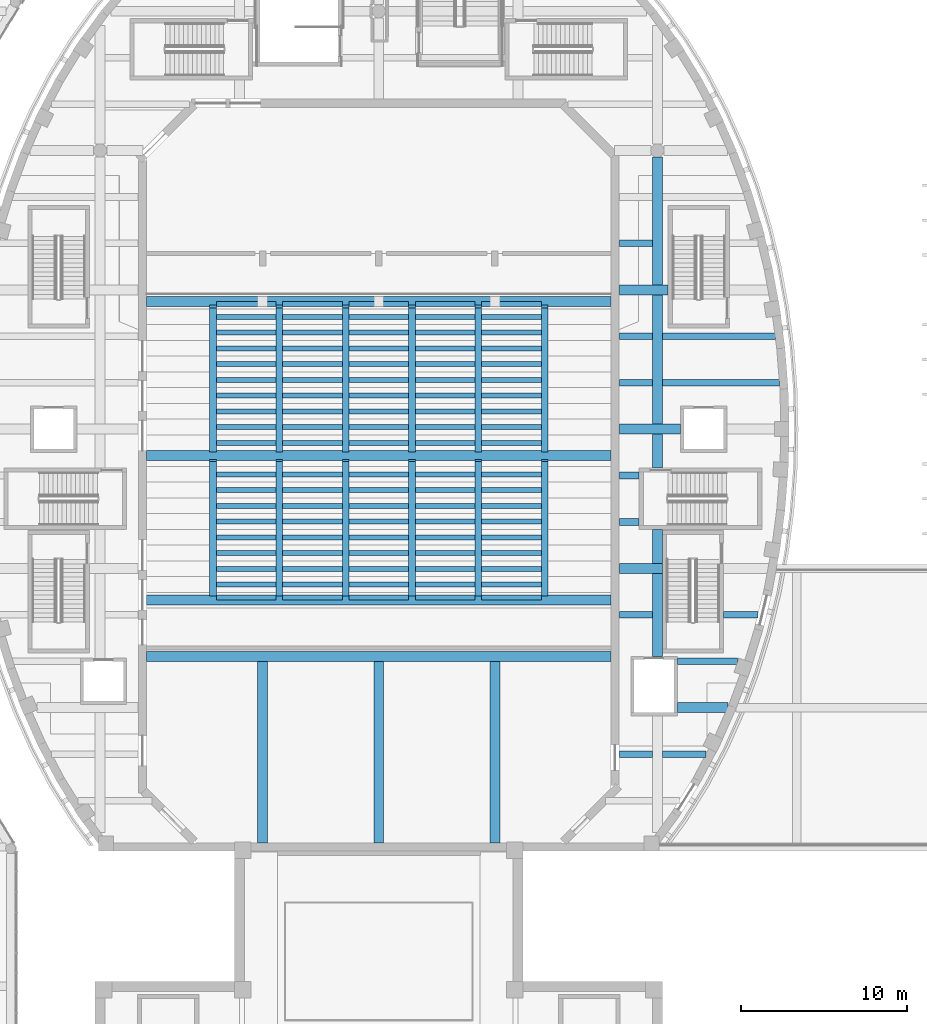
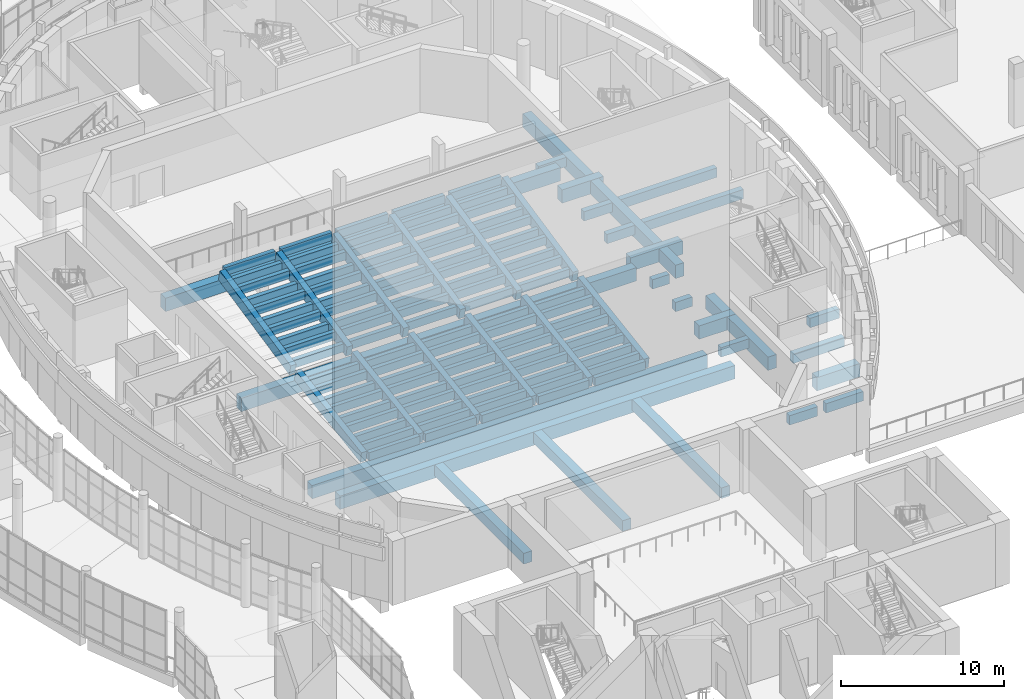
# One storey, part 21 of 119: 132 beams.
"""IFC4 building model written with IfcOpenShell, lengths in metres."""

import ifcopenshell
import ifcopenshell.guid

model = None  # the IFC model being written
_history = None  # IfcOwnerHistory: only IFC2X3 demands one
_inside = {}  # id of a spatial element -> (the spatial element, [elements in it])
_under = {}  # id of a project, library or spatial element -> (it, [spatial elements below it])
_declared = {}  # id of a project -> (the project, [libraries it declares])
_typed = {}  # id of a type object -> (the type object, [elements of that type])
_made_of = {}  # id of a material, layer set ... -> (it, [elements and type objects made of it])


def new_model(schema):
    """Start an empty IFC model of exactly this schema.

    Asked for "IFC4X3", IfcOpenShell would pick the latest addendum, in which some entities
    have other attributes; the version numbers below select the first issue.
    IFC2X3 requires an IfcOwnerHistory on every rooted entity: one is made here for all.
    """
    global model, _history
    if schema == "IFC4X3":
        model = ifcopenshell.file(schema_version=(4, 3, 0, 0))
    else:
        model = ifcopenshell.file(schema=schema)
    _inside.clear()
    _under.clear()
    _declared.clear()
    _typed.clear()
    _made_of.clear()
    _history = None
    if model.schema == "IFC2X3":
        org = make("IfcOrganization", Name="unknown")
        user = make(
            "IfcPersonAndOrganization",
            ThePerson=make("IfcPerson", FamilyName="unknown"),
            TheOrganization=org,
        )
        app = make(
            "IfcApplication",
            ApplicationDeveloper=org,
            Version="unknown",
            ApplicationFullName="unknown",
            ApplicationIdentifier="unknown",
        )
        _history = make(
            "IfcOwnerHistory",
            OwningUser=user,
            OwningApplication=app,
            ChangeAction="ADDED",
            CreationDate=0,
        )
    return model


def make(cls, **values):
    """One entity of the class cls with the attributes given. An attribute that is None is left unset."""
    return model.create_entity(
        cls, **{name: value for name, value in values.items() if value is not None}
    )


def rooted(cls, **values):
    """An entity with a GlobalId (a new one), such as an element, a storey or a relation."""
    return make(cls, GlobalId=ifcopenshell.guid.new(), OwnerHistory=_history, **values)


def si_unit(unit_type, name, prefix=None):
    """IfcSIUnit, for example si_unit("LENGTHUNIT", "METRE", prefix="MILLI")."""
    return make("IfcSIUnit", UnitType=unit_type, Prefix=prefix, Name=name)


def assignment(units):
    """IfcUnitAssignment: the units of a project."""
    return None if units is None else make("IfcUnitAssignment", Units=units)


def point(xyz):
    """IfcCartesianPoint."""
    return None if xyz is None else make("IfcCartesianPoint", Coordinates=xyz)


def direction(xyz):
    """IfcDirection."""
    return None if xyz is None else make("IfcDirection", DirectionRatios=xyz)


def frame(location, z_axis=None, x_axis=None):
    """IfcAxis2Placement3D, a coordinate frame: its origin and axes. An axis left out is left unset."""
    return make(
        "IfcAxis2Placement3D",
        Location=point(location),
        Axis=direction(z_axis),
        RefDirection=direction(x_axis),
    )


def frame_2d(location, x_axis=None):
    """IfcAxis2Placement2D, a coordinate frame in the plane: its origin and x axis."""
    return make(
        "IfcAxis2Placement2D", Location=point(location), RefDirection=direction(x_axis)
    )


def origin():
    """The frame at (0, 0, 0) with its axes left unset."""
    return frame((0.0, 0.0, 0.0))


def origin_2d():
    """The frame at (0, 0) in the plane with its x axis left unset."""
    return frame_2d((0.0, 0.0))


def place(relative_to, where):
    """IfcLocalPlacement: puts the frame where relative to a parent placement (None: the world)."""
    return make(
        "IfcLocalPlacement", PlacementRelTo=relative_to, RelativePlacement=where
    )


def context(
    kind, dimensions, precision=None, world=None, true_north=None, identifier=None
):
    """IfcGeometricRepresentationContext, for example the 3D "Model" context."""
    return make(
        "IfcGeometricRepresentationContext",
        ContextIdentifier=identifier,
        ContextType=kind,
        CoordinateSpaceDimension=dimensions,
        Precision=precision,
        WorldCoordinateSystem=world,
        TrueNorth=true_north,
    )


def subcontext(parent, identifier, kind, view, scale=None):
    """IfcGeometricRepresentationSubContext, for example "Body" below "Model"."""
    return make(
        "IfcGeometricRepresentationSubContext",
        ContextIdentifier=identifier,
        ContextType=kind,
        ParentContext=parent,
        TargetScale=scale,
        TargetView=view,
    )


def project(units=None, contexts=None):
    """IfcProject with its units and contexts."""
    return rooted(
        "IfcProject",
        Name="project",
        RepresentationContexts=contexts,
        UnitsInContext=assignment(units),
    )


def spatial(cls, under=None, at=None, **own):
    """A site, building, storey or space (cls), placed at a placement, below another one or the project."""
    s = rooted(cls, ObjectPlacement=at, **own)
    if under is not None:
        _under.setdefault(under.id(), (under, []))[1].append(s)
    return s


def profile(cls, at=None, kind="AREA", **sizes):
    """A parametric profile (cls). Its sizes go by their IFC names, for example OverallWidth=200.0."""
    return make(cls, ProfileType=kind, Position=at, **sizes)


def rectangle(**sizes):
    """IfcRectangleProfileDef."""
    return profile("IfcRectangleProfileDef", **sizes)


def extrude(swept, where, along, depth):
    """IfcExtrudedAreaSolid: the profile swept, set in the frame where, extruded along a direction by depth."""
    return make(
        "IfcExtrudedAreaSolid",
        SweptArea=swept,
        Position=where,
        ExtrudedDirection=direction(along),
        Depth=depth,
    )


def shape(context_of_items, identifier, shape_type, items):
    """IfcShapeRepresentation: the items that make up one representation, for example the "Body"."""
    return make(
        "IfcShapeRepresentation",
        ContextOfItems=context_of_items,
        RepresentationIdentifier=identifier,
        RepresentationType=shape_type,
        Items=items,
    )


def material(Name=None, Category=None):
    """IfcMaterial."""
    return make("IfcMaterial", Name=Name, Category=Category)


def material_profile(
    of_material, cross_section, Name=None, Category=None, Priority=None
):
    """IfcMaterialProfile: a cross section and its material."""
    return make(
        "IfcMaterialProfile",
        Name=Name,
        Material=of_material,
        Profile=cross_section,
        Priority=Priority,
        Category=Category,
    )


def profile_set(profiles, Name=None, composite=None):
    """IfcMaterialProfileSet."""
    return make(
        "IfcMaterialProfileSet",
        Name=Name,
        MaterialProfiles=profiles,
        CompositeProfile=composite,
    )


def made_of(thing, what):
    """Note that an element or type object is made of a material, layer set ...; save() writes the relation."""
    if what is not None:
        _made_of.setdefault(what.id(), (what, []))[1].append(thing)
    return thing


def type_object(cls, material=None, **own):
    """A type object (cls), such as IfcWallType, which elements share."""
    return made_of(rooted(cls, **own), material)


def element(
    cls,
    number,
    at=None,
    inside=None,
    cuts=None,
    type_object=None,
    material=None,
    context=None,
    identifier="Body",
    shape_type=None,
    held_by="IfcProductDefinitionShape",
    body=None,
    shapes=None,
    **own,
):
    """One element of the class cls, such as IfcWall. Its Tag is "e" and its number.

    at: its placement. inside: the storey or other place that contains it. cuts: it is an
    opening in that element (IfcRelVoidsElement). A single representation is given by context,
    identifier, shape_type and body (its items); several are given by shapes. held_by: the class
    of the entity that holds the representations. save() writes the other relations.
    """
    e = rooted(cls, Tag="e%d" % number, ObjectPlacement=at, **own)
    if body is not None:
        shapes = [shape(context, identifier, shape_type, body)]
    if shapes is not None:
        e.Representation = make(held_by, Representations=shapes)
    if inside is not None:
        _inside.setdefault(inside.id(), (inside, []))[1].append(e)
    if cuts is not None:
        rooted(
            "IfcRelVoidsElement", RelatingBuildingElement=cuts, RelatedOpeningElement=e
        )
    if type_object is not None:
        _typed.setdefault(type_object.id(), (type_object, []))[1].append(e)
    return made_of(e, material)


def aggregate(whole, parts):
    """IfcRelAggregates: a whole, such as a stair, and the parts it consists of."""
    return rooted("IfcRelAggregates", RelatingObject=whole, RelatedObjects=parts)


def save(model, path):
    """Write the relations noted so far, then the file.

    IfcRelAggregates (storeys below a building ...), IfcRelContainedInSpatialStructure (elements
    in a storey), IfcRelDefinesByType, IfcRelAssociatesMaterial and IfcRelDeclares: one each for
    every whole, place, type object, material and project.
    """
    for whole, parts in _under.values():
        aggregate(whole, parts)
    for where, things in _inside.values():
        rooted(
            "IfcRelContainedInSpatialStructure",
            RelatedElements=things,
            RelatingStructure=where,
        )
    for kind, things in _typed.values():
        rooted("IfcRelDefinesByType", RelatedObjects=things, RelatingType=kind)
    for what, things in _made_of.values():
        rooted("IfcRelAssociatesMaterial", RelatedObjects=things, RelatingMaterial=what)
    for by, libraries in _declared.values():
        rooted("IfcRelDeclares", RelatingContext=by, RelatedDefinitions=libraries)
    model.write(path)


model = new_model("IFC4")

# Units and contexts
model_context = context("Model", 3, precision=1e-05, world=origin(), true_north=direction((0.0, 1.0)))
body_context = subcontext(model_context, "Body", "Model", "MODEL_VIEW")
ifc_project = project(units=[si_unit("LENGTHUNIT", "METRE"), si_unit("AREAUNIT", "SQUARE_METRE"), si_unit("VOLUMEUNIT", "CUBIC_METRE"), si_unit("PLANEANGLEUNIT", "RADIAN"), si_unit("MASSUNIT", "GRAM", prefix="KILO")], contexts=[model_context])

# Site, building, storey
site_placement = place(None, origin())
site = spatial("IfcSite", under=ifc_project, at=site_placement, CompositionType="ELEMENT")
building_placement = place(site_placement, origin())
building = spatial("IfcBuilding", under=site, at=building_placement, Name="Larchfold Concert Hall", CompositionType="ELEMENT")
storey_placement = place(building_placement, frame((0.0, 0.0, 4.800048828125)))
storey = spatial("IfcBuildingStorey", under=building, at=storey_placement, Name="L01", CompositionType="ELEMENT", Elevation=4.800048828125)

# Beams
ifc_material_1 = material(Name="Concrete C35/45", Category="concrete")
ifc_material_profile_1 = material_profile(ifc_material_1, rectangle(XDim=0.300048828125, YDim=0.60009765625, at=origin_2d()))
ifc_profile_set_1 = profile_set([ifc_material_profile_1], Name="Concrete C35/45")
beam_type_1 = type_object("IfcBeamType", Name="Beam RC 300x600", PredefinedType="BEAM", material=ifc_profile_set_1)
for number, where, z_axis, x_axis, name in (
    (1, (32.800048828125, 74.449951171875, -0.52001953125), (1.0, 0.0, 0.0), (0.0, 1.0, 0.0), "Beam B1612"),
    (2, (36.800048828125, 74.449951171875, -0.52001953125), (1.0, 0.0, 0.0), (0.0, 1.0, 0.0), "Beam B1613"),
    (3, (40.800048828125, 74.449951171875, -0.52001953125), (1.0, 0.0, 0.0), (0.0, 1.0, 0.0), "Beam B1614"),
    (4, (44.800048828125, 74.449951171875, -0.52001953125), (1.0, 0.0, 0.0), (0.0, 1.0, 0.0), "Beam B1615"),
    (5, (48.800048828125, 74.449951171875, -0.52001953125), (1.0, 0.0, 0.0), (0.0, 1.0, 0.0), "Beam B1616"),
    (6, (32.800048828125, 75.22509765625, -0.3759765625), (1.0, 0.0, 0.0), (0.0, 1.0, 0.0), "Beam B1617"),
    (7, (36.800048828125, 75.22509765625, -0.3759765625), (1.0, 0.0, 0.0), (0.0, 1.0, 0.0), "Beam B1618"),
    (8, (40.800048828125, 75.22509765625, -0.3759765625), (1.0, 0.0, 0.0), (0.0, 1.0, 0.0), "Beam B1619"),
    (9, (44.800048828125, 75.22509765625, -0.3759765625), (1.0, 0.0, 0.0), (0.0, 1.0, 0.0), "Beam B1620"),
    (10, (48.800048828125, 75.22509765625, -0.3759765625), (1.0, 0.0, 0.0), (0.0, 1.0, 0.0), "Beam B1621"),
    (11, (32.800048828125, 76.1748046875, -0.35302734375), (1.0, 0.0, 0.0), (0.0, 1.0, 0.0), "Beam B1622"),
    (12, (36.800048828125, 76.1748046875, -0.35302734375), (1.0, 0.0, 0.0), (0.0, 1.0, 0.0), "Beam B1623"),
    (13, (40.800048828125, 76.1748046875, -0.35302734375), (1.0, 0.0, 0.0), (0.0, 1.0, 0.0), "Beam B1624"),
    (14, (44.800048828125, 76.1748046875, -0.35302734375), (1.0, 0.0, 0.0), (0.0, 1.0, 0.0), "Beam B1625"),
    (15, (48.800048828125, 76.1748046875, -0.35302734375), (1.0, 0.0, 0.0), (0.0, 1.0, 0.0), "Beam B1626"),
    (16, (32.800048828125, 77.125, -0.149169921875), (1.0, 0.0, 0.0), (0.0, 1.0, 0.0), "Beam B1627"),
    (17, (36.800048828125, 77.125, -0.149169921875), (1.0, 0.0, 0.0), (0.0, 1.0, 0.0), "Beam B1628"),
    (18, (40.800048828125, 77.125, -0.149169921875), (1.0, 0.0, 0.0), (0.0, 1.0, 0.0), "Beam B1629"),
    (19, (44.800048828125, 77.125, -0.149169921875), (1.0, 0.0, 0.0), (0.0, 1.0, 0.0), "Beam B1630"),
    (20, (48.800048828125, 77.125, -0.149169921875), (1.0, 0.0, 0.0), (0.0, 1.0, 0.0), "Beam B1631"),
    (21, (32.800048828125, 78.0751953125, -0.137939453125), (1.0, 0.0, 0.0), (0.0, 1.0, 0.0), "Beam B1632"),
    (22, (36.800048828125, 78.0751953125, -0.137939453125), (1.0, 0.0, 0.0), (0.0, 1.0, 0.0), "Beam B1633"),
    (23, (40.800048828125, 78.0751953125, -0.137939453125), (1.0, 0.0, 0.0), (0.0, 1.0, 0.0), "Beam B1634"),
    (24, (44.800048828125, 78.0751953125, -0.137939453125), (1.0, 0.0, 0.0), (0.0, 1.0, 0.0), "Beam B1635"),
    (25, (48.800048828125, 78.0751953125, -0.137939453125), (1.0, 0.0, 0.0), (0.0, 1.0, 0.0), "Beam B1636"),
    (26, (32.800048828125, 79.02490234375, 0.117919921875), (1.0, 0.0, 0.0), (0.0, 1.0, 0.0), "Beam B1637"),
    (27, (36.800048828125, 79.02490234375, 0.117919921875), (1.0, 0.0, 0.0), (0.0, 1.0, 0.0), "Beam B1638"),
    (28, (40.800048828125, 79.02490234375, 0.117919921875), (1.0, 0.0, 0.0), (0.0, 1.0, 0.0), "Beam B1639"),
    (29, (44.800048828125, 79.02490234375, 0.117919921875), (1.0, 0.0, 0.0), (0.0, 1.0, 0.0), "Beam B1640"),
    (30, (48.800048828125, 79.02490234375, 0.117919921875), (1.0, 0.0, 0.0), (0.0, 1.0, 0.0), "Beam B1641"),
    (31, (32.800048828125, 79.97509765625, 0.117919921875), (1.0, 0.0, 0.0), (0.0, 1.0, 0.0), "Beam B1642"),
    (32, (36.800048828125, 79.97509765625, 0.117919921875), (1.0, 0.0, 0.0), (0.0, 1.0, 0.0), "Beam B1643"),
    (33, (40.800048828125, 79.97509765625, 0.117919921875), (1.0, 0.0, 0.0), (0.0, 1.0, 0.0), "Beam B1644"),
    (34, (44.800048828125, 79.97509765625, 0.117919921875), (1.0, 0.0, 0.0), (0.0, 1.0, 0.0), "Beam B1645"),
    (35, (48.800048828125, 79.97509765625, 0.117919921875), (1.0, 0.0, 0.0), (0.0, 1.0, 0.0), "Beam B1646"),
    (36, (32.800048828125, 80.9248046875, 0.4150390625), (1.0, 0.0, 0.0), (0.0, 1.0, 0.0), "Beam B1647"),
    (37, (36.800048828125, 80.9248046875, 0.4150390625), (1.0, 0.0, 0.0), (0.0, 1.0, 0.0), "Beam B1648"),
    (38, (40.800048828125, 80.9248046875, 0.4150390625), (1.0, 0.0, 0.0), (0.0, 1.0, 0.0), "Beam B1649"),
    (39, (44.800048828125, 80.9248046875, 0.4150390625), (1.0, 0.0, 0.0), (0.0, 1.0, 0.0), "Beam B1650"),
    (40, (48.800048828125, 80.9248046875, 0.4150390625), (1.0, 0.0, 0.0), (0.0, 1.0, 0.0), "Beam B1651"),
    (41, (32.800048828125, 81.875, 0.4150390625), (1.0, 0.0, 0.0), (0.0, 1.0, 0.0), "Beam B1652"),
    (42, (36.800048828125, 81.875, 0.4150390625), (1.0, 0.0, 0.0), (0.0, 1.0, 0.0), "Beam B1653"),
    (43, (40.800048828125, 81.875, 0.4150390625), (1.0, 0.0, 0.0), (0.0, 1.0, 0.0), "Beam B1654"),
    (44, (44.800048828125, 81.875, 0.4150390625), (1.0, 0.0, 0.0), (0.0, 1.0, 0.0), "Beam B1655"),
    (45, (48.800048828125, 81.875, 0.4150390625), (1.0, 0.0, 0.0), (0.0, 1.0, 0.0), "Beam B1656"),
    (46, (32.800048828125, 83.77490234375, 0.73583984375), (1.0, 0.0, 0.0), (0.0, 1.0, 0.0), "Beam B1657"),
    (47, (36.800048828125, 83.77490234375, 0.73583984375), (1.0, 0.0, 0.0), (0.0, 1.0, 0.0), "Beam B1658"),
    (48, (40.800048828125, 83.77490234375, 0.73583984375), (1.0, 0.0, 0.0), (0.0, 1.0, 0.0), "Beam B1659"),
    (49, (44.800048828125, 83.77490234375, 0.73583984375), (1.0, 0.0, 0.0), (0.0, 1.0, 0.0), "Beam B1660"),
    (50, (48.800048828125, 83.77490234375, 0.73583984375), (1.0, 0.0, 0.0), (0.0, 1.0, 0.0), "Beam B1661"),
    (51, (32.800048828125, 84.72509765625, 1.076904296875), (1.0, 0.0, 0.0), (0.0, 1.0, 0.0), "Beam B1662"),
    (52, (36.800048828125, 84.72509765625, 1.076904296875), (1.0, 0.0, 0.0), (0.0, 1.0, 0.0), "Beam B1663"),
    (53, (40.800048828125, 84.72509765625, 1.076904296875), (1.0, 0.0, 0.0), (0.0, 1.0, 0.0), "Beam B1664"),
    (54, (44.800048828125, 84.72509765625, 1.076904296875), (1.0, 0.0, 0.0), (0.0, 1.0, 0.0), "Beam B1665"),
    (55, (48.800048828125, 84.72509765625, 1.076904296875), (1.0, 0.0, 0.0), (0.0, 1.0, 0.0), "Beam B1666"),
    (56, (32.800048828125, 85.6748046875, 1.076904296875), (1.0, 0.0, 0.0), (0.0, 1.0, 0.0), "Beam B1667"),
    (57, (36.800048828125, 85.6748046875, 1.076904296875), (1.0, 0.0, 0.0), (0.0, 1.0, 0.0), "Beam B1668"),
    (58, (40.800048828125, 85.6748046875, 1.076904296875), (1.0, 0.0, 0.0), (0.0, 1.0, 0.0), "Beam B1669"),
    (59, (44.800048828125, 85.6748046875, 1.076904296875), (1.0, 0.0, 0.0), (0.0, 1.0, 0.0), "Beam B1670"),
    (60, (48.800048828125, 85.6748046875, 1.076904296875), (1.0, 0.0, 0.0), (0.0, 1.0, 0.0), "Beam B1671"),
    (61, (32.800048828125, 86.625, 1.43505859375), (1.0, 0.0, 0.0), (0.0, 1.0, 0.0), "Beam B1672"),
    (62, (36.800048828125, 86.625, 1.43505859375), (1.0, 0.0, 0.0), (0.0, 1.0, 0.0), "Beam B1673"),
    (63, (40.800048828125, 86.625, 1.43505859375), (1.0, 0.0, 0.0), (0.0, 1.0, 0.0), "Beam B1674"),
    (64, (44.800048828125, 86.625, 1.43505859375), (1.0, 0.0, 0.0), (0.0, 1.0, 0.0), "Beam B1675"),
    (65, (48.800048828125, 86.625, 1.43505859375), (1.0, 0.0, 0.0), (0.0, 1.0, 0.0), "Beam B1676"),
    (66, (32.800048828125, 87.5751953125, 1.43505859375), (1.0, 0.0, 0.0), (0.0, 1.0, 0.0), "Beam B1677"),
    (67, (36.800048828125, 87.5751953125, 1.43505859375), (1.0, 0.0, 0.0), (0.0, 1.0, 0.0), "Beam B1678"),
    (68, (40.800048828125, 87.5751953125, 1.43505859375), (1.0, 0.0, 0.0), (0.0, 1.0, 0.0), "Beam B1679"),
    (69, (44.800048828125, 87.5751953125, 1.43505859375), (1.0, 0.0, 0.0), (0.0, 1.0, 0.0), "Beam B1680"),
    (70, (48.800048828125, 87.5751953125, 1.43505859375), (1.0, 0.0, 0.0), (0.0, 1.0, 0.0), "Beam B1681"),
    (71, (32.800048828125, 88.52490234375, 1.807861328125), (1.0, 0.0, 0.0), (0.0, 1.0, 0.0), "Beam B1682"),
    (72, (36.800048828125, 88.52490234375, 1.807861328125), (1.0, 0.0, 0.0), (0.0, 1.0, 0.0), "Beam B1683"),
    (73, (40.800048828125, 88.52490234375, 1.807861328125), (1.0, 0.0, 0.0), (0.0, 1.0, 0.0), "Beam B1684"),
    (74, (44.800048828125, 88.52490234375, 1.807861328125), (1.0, 0.0, 0.0), (0.0, 1.0, 0.0), "Beam B1685"),
    (75, (48.800048828125, 88.52490234375, 1.807861328125), (1.0, 0.0, 0.0), (0.0, 1.0, 0.0), "Beam B1686"),
    (76, (32.800048828125, 89.47509765625, 1.807861328125), (1.0, 0.0, 0.0), (0.0, 1.0, 0.0), "Beam B1687"),
    (77, (36.800048828125, 89.47509765625, 1.807861328125), (1.0, 0.0, 0.0), (0.0, 1.0, 0.0), "Beam B1688"),
    (78, (40.800048828125, 89.47509765625, 1.807861328125), (1.0, 0.0, 0.0), (0.0, 1.0, 0.0), "Beam B1689"),
    (79, (44.800048828125, 89.47509765625, 1.807861328125), (1.0, 0.0, 0.0), (0.0, 1.0, 0.0), "Beam B1690"),
    (80, (48.800048828125, 89.47509765625, 1.807861328125), (1.0, 0.0, 0.0), (0.0, 1.0, 0.0), "Beam B1691"),
    (81, (32.800048828125, 90.4248046875, 2.195068359375), (1.0, 0.0, 0.0), (0.0, 1.0, 0.0), "Beam B1692"),
    (82, (36.800048828125, 90.4248046875, 2.195068359375), (1.0, 0.0, 0.0), (0.0, 1.0, 0.0), "Beam B1693"),
    (83, (40.800048828125, 90.4248046875, 2.195068359375), (1.0, 0.0, 0.0), (0.0, 1.0, 0.0), "Beam B1694"),
    (84, (44.800048828125, 90.4248046875, 2.195068359375), (1.0, 0.0, 0.0), (0.0, 1.0, 0.0), "Beam B1695"),
    (85, (48.800048828125, 90.4248046875, 2.195068359375), (1.0, 0.0, 0.0), (0.0, 1.0, 0.0), "Beam B1696"),
    (86, (32.800048828125, 91.375, 2.195068359375), (1.0, 0.0, 0.0), (0.0, 1.0, 0.0), "Beam B1697"),
    (87, (36.800048828125, 91.375, 2.195068359375), (1.0, 0.0, 0.0), (0.0, 1.0, 0.0), "Beam B1698"),
    (88, (40.800048828125, 91.375, 2.195068359375), (1.0, 0.0, 0.0), (0.0, 1.0, 0.0), "Beam B1699"),
    (89, (44.800048828125, 91.375, 2.195068359375), (1.0, 0.0, 0.0), (0.0, 1.0, 0.0), "Beam B1700"),
    (90, (48.800048828125, 91.375, 2.195068359375), (1.0, 0.0, 0.0), (0.0, 1.0, 0.0), "Beam B1701"),
    (91, (32.800048828125, 92.14990234375, 2.593994140625), (1.0, 0.0, 0.0), (0.0, 1.0, 0.0), "Beam B1702"),
    (92, (36.800048828125, 92.14990234375, 2.593994140625), (1.0, 0.0, 0.0), (0.0, 1.0, 0.0), "Beam B1703"),
    (93, (40.800048828125, 92.14990234375, 2.593994140625), (1.0, 0.0, 0.0), (0.0, 1.0, 0.0), "Beam B1704"),
    (94, (44.800048828125, 92.14990234375, 2.593994140625), (1.0, 0.0, 0.0), (0.0, 1.0, 0.0), "Beam B1705"),
    (95, (48.800048828125, 92.14990234375, 2.593994140625), (1.0, 0.0, 0.0), (0.0, 1.0, 0.0), "Beam B1706"),
):
    element("IfcBeam", number, at=place(storey_placement, frame(where, z_axis=z_axis, x_axis=x_axis)), inside=storey, type_object=beam_type_1, Name=name, PredefinedType="BEAM", context=body_context, shape_type="SweptSolid", body=[
        extrude(rectangle(XDim=0.300048828125, YDim=0.60009765625, at=origin_2d()), origin(), (0.0, 0.0, 1.0), 3.599853515625),
    ])
ifc_material_2 = material(Name="Concrete C35/45", Category="concrete")
ifc_material_profile_2 = material_profile(ifc_material_2, rectangle(XDim=0.39990234375, YDim=0.699951171875, at=origin_2d()))
ifc_profile_set_2 = profile_set([ifc_material_profile_2], Name="Concrete C35/45")
beam_type_2 = type_object("IfcBeamType", Name="Beam RC 400x700", PredefinedType="BEAM", material=ifc_profile_set_2)
beam_1_placement = place(storey_placement, frame((57.110107421875, 65.0, -0.550048828125), z_axis=(1.0, 0.0, 0.0), x_axis=(0.0, 1.0, 0.0)))
element("IfcBeam", 96, at=beam_1_placement, inside=storey, type_object=beam_type_2, Name="Beam B1225", PredefinedType="BEAM", context=body_context, shape_type="SweptSolid", body=[
    extrude(rectangle(XDim=0.39990234375, YDim=0.699951171875, at=origin_2d()), origin(), (0.0, 0.0, 1.0), 1.989990234375),
])
beam_2_placement = place(storey_placement, frame((59.699951171875, 65.0, -0.550048828125), z_axis=(1.0, 0.0, 0.0), x_axis=(0.0, 1.0, 0.0)))
element("IfcBeam", 97, at=beam_2_placement, inside=storey, type_object=beam_type_2, Name="Beam B1226", PredefinedType="BEAM", context=body_context, shape_type="SweptSolid", body=[
    extrude(rectangle(XDim=0.39990234375, YDim=0.699951171875, at=origin_2d()), origin(), (0.0, 0.0, 1.0), 2.64013671875),
])
beam_3_placement = place(storey_placement, frame((60.60009765625, 70.60009765625, -0.550048828125), z_axis=(1.0, 0.0, 0.0), x_axis=(0.0, 1.0, 0.0)))
element("IfcBeam", 98, at=beam_3_placement, inside=storey, type_object=beam_type_2, Name="Beam B1228", PredefinedType="BEAM", context=body_context, shape_type="SweptSolid", body=[
    extrude(rectangle(XDim=0.39990234375, YDim=0.699951171875, at=origin_2d()), origin(), (0.0, 0.0, 1.0), 3.64306640625),
])
beam_4_placement = place(storey_placement, frame((57.110107421875, 73.39990234375, -0.550048828125), z_axis=(1.0, 0.0, 0.0), x_axis=(0.0, 1.0, 0.0)))
element("IfcBeam", 99, at=beam_4_placement, inside=storey, type_object=beam_type_2, Name="Beam B1231", PredefinedType="BEAM", context=body_context, shape_type="SweptSolid", body=[
    extrude(rectangle(XDim=0.39990234375, YDim=0.699951171875, at=origin_2d()), origin(), (0.0, 0.0, 1.0), 1.989990234375),
])
beam_5_placement = place(storey_placement, frame((63.39990234375, 73.39990234375, -0.550048828125), z_axis=(1.0, 0.0, 0.0), x_axis=(0.0, 1.0, 0.0)))
element("IfcBeam", 100, at=beam_5_placement, inside=storey, type_object=beam_type_2, Name="Beam B1232", PredefinedType="BEAM", context=body_context, shape_type="SweptSolid", body=[
    extrude(rectangle(XDim=0.39990234375, YDim=0.699951171875, at=origin_2d()), origin(), (0.0, 0.0, 1.0), 2.0791015625),
])
for number, where, z_axis, x_axis, name in (
    (101, (57.110107421875, 79.0, -0.550048828125), (1.0, 0.0, 0.0), (0.0, 1.0, 0.0), "Beam B1234"),
    (102, (57.110107421875, 81.800048828125, -0.550048828125), (1.0, 0.0, 0.0), (0.0, 1.0, 0.0), "Beam B1236"),
):
    element("IfcBeam", number, at=place(storey_placement, frame(where, z_axis=z_axis, x_axis=x_axis)), inside=storey, type_object=beam_type_2, Name=name, PredefinedType="BEAM", context=body_context, shape_type="SweptSolid", body=[
        extrude(rectangle(XDim=0.39990234375, YDim=0.699951171875, at=origin_2d()), origin(), (0.0, 0.0, 1.0), 1.18994140625),
    ])
beam_6_placement = place(storey_placement, frame((57.110107421875, 87.39990234375, -0.550048828125), z_axis=(1.0, 0.0, 0.0), x_axis=(0.0, 1.0, 0.0)))
element("IfcBeam", 103, at=beam_6_placement, inside=storey, type_object=beam_type_2, Name="Beam B1239", PredefinedType="BEAM", context=body_context, shape_type="SweptSolid", body=[
    extrude(rectangle(XDim=0.39990234375, YDim=0.699951171875, at=origin_2d()), origin(), (0.0, 0.0, 1.0), 1.989990234375),
])
beam_7_placement = place(storey_placement, frame((59.699951171875, 87.39990234375, -0.550048828125), z_axis=(1.0, 0.0, 0.0), x_axis=(0.0, 1.0, 0.0)))
element("IfcBeam", 104, at=beam_7_placement, inside=storey, type_object=beam_type_2, Name="Beam B1240", PredefinedType="BEAM", context=body_context, shape_type="SweptSolid", body=[
    extrude(rectangle(XDim=0.39990234375, YDim=0.699951171875, at=origin_2d()), origin(), (0.0, 0.0, 1.0), 7.078125),
])
beam_8_placement = place(storey_placement, frame((57.110107421875, 90.199951171875, -0.550048828125), z_axis=(1.0, 0.0, 0.0), x_axis=(0.0, 1.0, 0.0)))
element("IfcBeam", 105, at=beam_8_placement, inside=storey, type_object=beam_type_2, Name="Beam B1243", PredefinedType="BEAM", context=body_context, shape_type="SweptSolid", body=[
    extrude(rectangle(XDim=0.39990234375, YDim=0.699951171875, at=origin_2d()), origin(), (0.0, 0.0, 1.0), 1.989990234375),
])
beam_9_placement = place(storey_placement, frame((59.699951171875, 90.199951171875, -0.550048828125), z_axis=(1.0, 0.0, 0.0), x_axis=(0.0, 1.0, 0.0)))
element("IfcBeam", 106, at=beam_9_placement, inside=storey, type_object=beam_type_2, Name="Beam B1244", PredefinedType="BEAM", context=body_context, shape_type="SweptSolid", body=[
    extrude(rectangle(XDim=0.39990234375, YDim=0.699951171875, at=origin_2d()), origin(), (0.0, 0.0, 1.0), 6.81982421875),
])
beam_10_placement = place(storey_placement, frame((57.110107421875, 95.800048828125, -0.550048828125), z_axis=(1.0, 0.0, 0.0), x_axis=(0.0, 1.0, 0.0)))
element("IfcBeam", 107, at=beam_10_placement, inside=storey, type_object=beam_type_2, Name="Beam B1247", PredefinedType="BEAM", context=body_context, shape_type="SweptSolid", body=[
    extrude(rectangle(XDim=0.39990234375, YDim=0.699951171875, at=origin_2d()), origin(), (0.0, 0.0, 1.0), 1.989990234375),
])
ifc_material_3 = material(Name="Concrete C35/45", Category="concrete")
ifc_material_profile_3 = material_profile(ifc_material_3, rectangle(XDim=0.39990234375, YDim=0.800048828125, at=origin_2d()))
ifc_profile_set_3 = profile_set([ifc_material_profile_3], Name="Concrete C35/45")
beam_type_3 = type_object("IfcBeamType", Name="Beam RC 400x800", PredefinedType="BEAM", material=ifc_profile_set_3)
beam_11_placement = place(storey_placement, frame((32.60009765625, 74.60009765625, -0.6201171875), z_axis=(0.0, 0.988188138997, 0.153245560935), x_axis=(-1.0, 0.0, 0.0)))
element("IfcBeam", 108, at=beam_11_placement, inside=storey, type_object=beam_type_3, Name="Beam RK1600", PredefinedType="BEAM", context=body_context, shape_type="SweptSolid", body=[
    extrude(rectangle(XDim=0.39990234375, YDim=0.800048828125, at=origin_2d()), origin(), (0.0, 0.0, 1.0), 8.19677734375),
])
beam_12_placement = place(storey_placement, frame((32.60009765625, 83.300048828125, 0.635986328125), z_axis=(0.0, 0.977948763181, 0.208844958266), x_axis=(-1.0, 0.0, 0.0)))
element("IfcBeam", 109, at=beam_12_placement, inside=storey, type_object=beam_type_3, Name="Beam RK1601", PredefinedType="BEAM", context=body_context, shape_type="SweptSolid", body=[
    extrude(rectangle(XDim=0.39990234375, YDim=0.800048828125, at=origin_2d()), origin(), (0.0, 0.0, 1.0), 8.896240234375),
])
beam_13_placement = place(storey_placement, frame((36.60009765625, 74.60009765625, -0.6201171875), z_axis=(0.0, 0.988188138997, 0.153245560935), x_axis=(-1.0, 0.0, 0.0)))
element("IfcBeam", 110, at=beam_13_placement, inside=storey, type_object=beam_type_3, Name="Beam RK1602", PredefinedType="BEAM", context=body_context, shape_type="SweptSolid", body=[
    extrude(rectangle(XDim=0.39990234375, YDim=0.800048828125, at=origin_2d()), origin(), (0.0, 0.0, 1.0), 8.19677734375),
])
beam_14_placement = place(storey_placement, frame((36.60009765625, 83.300048828125, 0.635986328125), z_axis=(0.0, 0.977948763181, 0.208844958266), x_axis=(-1.0, 0.0, 0.0)))
element("IfcBeam", 111, at=beam_14_placement, inside=storey, type_object=beam_type_3, Name="Beam RK1603", PredefinedType="BEAM", context=body_context, shape_type="SweptSolid", body=[
    extrude(rectangle(XDim=0.39990234375, YDim=0.800048828125, at=origin_2d()), origin(), (0.0, 0.0, 1.0), 8.896240234375),
])
beam_15_placement = place(storey_placement, frame((40.60009765625, 74.60009765625, -0.6201171875), z_axis=(0.0, 0.988188138997, 0.153245560935), x_axis=(-1.0, 0.0, 0.0)))
element("IfcBeam", 112, at=beam_15_placement, inside=storey, type_object=beam_type_3, Name="Beam RK1604", PredefinedType="BEAM", context=body_context, shape_type="SweptSolid", body=[
    extrude(rectangle(XDim=0.39990234375, YDim=0.800048828125, at=origin_2d()), origin(), (0.0, 0.0, 1.0), 8.19677734375),
])
beam_16_placement = place(storey_placement, frame((40.60009765625, 83.300048828125, 0.635986328125), z_axis=(0.0, 0.977948763181, 0.208844958266), x_axis=(-1.0, 0.0, 0.0)))
element("IfcBeam", 113, at=beam_16_placement, inside=storey, type_object=beam_type_3, Name="Beam RK1605", PredefinedType="BEAM", context=body_context, shape_type="SweptSolid", body=[
    extrude(rectangle(XDim=0.39990234375, YDim=0.800048828125, at=origin_2d()), origin(), (0.0, 0.0, 1.0), 8.896240234375),
])
beam_17_placement = place(storey_placement, frame((44.60009765625, 74.60009765625, -0.6201171875), z_axis=(0.0, 0.988188138997, 0.153245560935), x_axis=(-1.0, 0.0, 0.0)))
element("IfcBeam", 114, at=beam_17_placement, inside=storey, type_object=beam_type_3, Name="Beam RK1606", PredefinedType="BEAM", context=body_context, shape_type="SweptSolid", body=[
    extrude(rectangle(XDim=0.39990234375, YDim=0.800048828125, at=origin_2d()), origin(), (0.0, 0.0, 1.0), 8.19677734375),
])
beam_18_placement = place(storey_placement, frame((44.60009765625, 83.300048828125, 0.635986328125), z_axis=(0.0, 0.977948763181, 0.208844958266), x_axis=(-1.0, 0.0, 0.0)))
element("IfcBeam", 115, at=beam_18_placement, inside=storey, type_object=beam_type_3, Name="Beam RK1607", PredefinedType="BEAM", context=body_context, shape_type="SweptSolid", body=[
    extrude(rectangle(XDim=0.39990234375, YDim=0.800048828125, at=origin_2d()), origin(), (0.0, 0.0, 1.0), 8.896240234375),
])
beam_19_placement = place(storey_placement, frame((48.60009765625, 74.60009765625, -0.6201171875), z_axis=(0.0, 0.988188138997, 0.153245560935), x_axis=(-1.0, 0.0, 0.0)))
element("IfcBeam", 116, at=beam_19_placement, inside=storey, type_object=beam_type_3, Name="Beam RK1608", PredefinedType="BEAM", context=body_context, shape_type="SweptSolid", body=[
    extrude(rectangle(XDim=0.39990234375, YDim=0.800048828125, at=origin_2d()), origin(), (0.0, 0.0, 1.0), 8.19677734375),
])
beam_20_placement = place(storey_placement, frame((48.60009765625, 83.300048828125, 0.635986328125), z_axis=(0.0, 0.977948763181, 0.208844958266), x_axis=(-1.0, 0.0, 0.0)))
element("IfcBeam", 117, at=beam_20_placement, inside=storey, type_object=beam_type_3, Name="Beam RK1609", PredefinedType="BEAM", context=body_context, shape_type="SweptSolid", body=[
    extrude(rectangle(XDim=0.39990234375, YDim=0.800048828125, at=origin_2d()), origin(), (0.0, 0.0, 1.0), 8.896240234375),
])
beam_21_placement = place(storey_placement, frame((52.60009765625, 74.60009765625, -0.6201171875), z_axis=(0.0, 0.988188138997, 0.153245560935), x_axis=(-1.0, 0.0, 0.0)))
element("IfcBeam", 118, at=beam_21_placement, inside=storey, type_object=beam_type_3, Name="Beam RK1610", PredefinedType="BEAM", context=body_context, shape_type="SweptSolid", body=[
    extrude(rectangle(XDim=0.39990234375, YDim=0.800048828125, at=origin_2d()), origin(), (0.0, 0.0, 1.0), 8.19677734375),
])
beam_22_placement = place(storey_placement, frame((52.60009765625, 83.300048828125, 0.635986328125), z_axis=(0.0, 0.977948763181, 0.208844958266), x_axis=(-1.0, 0.0, 0.0)))
element("IfcBeam", 119, at=beam_22_placement, inside=storey, type_object=beam_type_3, Name="Beam RK1611", PredefinedType="BEAM", context=body_context, shape_type="SweptSolid", body=[
    extrude(rectangle(XDim=0.39990234375, YDim=0.800048828125, at=origin_2d()), origin(), (0.0, 0.0, 1.0), 8.896240234375),
])
ifc_material_4 = material(Name="Concrete C35/45", Category="concrete")
ifc_material_profile_4 = material_profile(ifc_material_4, rectangle(XDim=0.60009765625, YDim=1.0, at=origin_2d()))
ifc_profile_set_4 = profile_set([ifc_material_profile_4], Name="Concrete C35/45")
beam_type_4 = type_object("IfcBeamType", Name="Beam RC 600x1000", PredefinedType="BEAM", material=ifc_profile_set_4)
beam_23_placement = place(storey_placement, frame((59.39990234375, 70.89990234375, -0.699951171875), z_axis=(0.0, 1.0, 0.0), x_axis=(-1.0, 0.0, 0.0)))
element("IfcBeam", 120, at=beam_23_placement, inside=storey, type_object=beam_type_4, Name="Beam B1194", PredefinedType="BEAM", context=body_context, shape_type="SweptSolid", body=[
    extrude(rectangle(XDim=0.60009765625, YDim=1.0, at=origin_2d()), origin(), (0.0, 0.0, 1.0), 7.650146484375),
])
beam_24_placement = place(storey_placement, frame((59.39990234375, 82.25, -0.699951171875), z_axis=(0.0, 1.0, 0.0), x_axis=(-1.0, 0.0, 0.0)))
element("IfcBeam", 121, at=beam_24_placement, inside=storey, type_object=beam_type_4, Name="Beam B1195", PredefinedType="BEAM", context=body_context, shape_type="SweptSolid", body=[
    extrude(rectangle(XDim=0.60009765625, YDim=1.0, at=origin_2d()), origin(), (0.0, 0.0, 1.0), 18.751708984375),
])
beam_25_placement = place(storey_placement, frame((60.60009765625, 67.800048828125, -0.699951171875), z_axis=(1.0, 0.0, 0.0), x_axis=(0.0, 1.0, 0.0)))
element("IfcBeam", 122, at=beam_25_placement, inside=storey, type_object=beam_type_4, Name="Beam B1198", PredefinedType="BEAM", context=body_context, shape_type="SweptSolid", body=[
    extrude(rectangle(XDim=0.60009765625, YDim=1.0, at=origin_2d()), origin(), (0.0, 0.0, 1.0), 3.04638671875),
])
beam_26_placement = place(storey_placement, frame((57.110107421875, 76.199951171875, -0.699951171875), z_axis=(1.0, 0.0, 0.0), x_axis=(0.0, 1.0, 0.0)))
element("IfcBeam", 123, at=beam_26_placement, inside=storey, type_object=beam_type_4, Name="Beam B1201", PredefinedType="BEAM", context=body_context, shape_type="SweptSolid", body=[
    extrude(rectangle(XDim=0.60009765625, YDim=1.0, at=origin_2d()), origin(), (0.0, 0.0, 1.0), 2.58984375),
])
beam_27_placement = place(storey_placement, frame((57.110107421875, 84.60009765625, -0.699951171875), z_axis=(1.0, 0.0, 0.0), x_axis=(0.0, 1.0, 0.0)))
element("IfcBeam", 124, at=beam_27_placement, inside=storey, type_object=beam_type_4, Name="Beam B1205", PredefinedType="BEAM", context=body_context, shape_type="SweptSolid", body=[
    extrude(rectangle(XDim=0.60009765625, YDim=1.0, at=origin_2d()), origin(), (0.0, 0.0, 1.0), 3.68994140625),
])
beam_28_placement = place(storey_placement, frame((57.110107421875, 93.0, -0.699951171875), z_axis=(1.0, 0.0, 0.0), x_axis=(0.0, 1.0, 0.0)))
element("IfcBeam", 125, at=beam_28_placement, inside=storey, type_object=beam_type_4, Name="Beam B1209", PredefinedType="BEAM", context=body_context, shape_type="SweptSolid", body=[
    extrude(rectangle(XDim=0.60009765625, YDim=1.0, at=origin_2d()), origin(), (0.0, 0.0, 1.0), 2.93994140625),
])
for number, where, z_axis, x_axis, name in (
    (126, (28.60009765625, 74.300048828125, -1.52001953125), (1.0, 0.0, 0.0), (0.0, 1.0, 0.0), "Beam BG743"),
    (127, (28.60009765625, 83.0, -0.26416015625), (1.0, 0.0, 0.0), (0.0, 1.0, 0.0), "Beam BG830"),
    (128, (28.60009765625, 92.300048828125, 1.593994140625), (1.0, 0.0, 0.0), (0.0, 1.0, 0.0), "Beam BG923"),
    (129, (28.60009765625, 70.89990234375, -0.25), (1.0, 0.0, 0.0), (0.0, 1.0, 0.0), "Beam BG709"),
):
    element("IfcBeam", number, at=place(storey_placement, frame(where, z_axis=z_axis, x_axis=x_axis)), inside=storey, type_object=beam_type_4, Name=name, PredefinedType="BEAM", context=body_context, shape_type="SweptSolid", body=[
        extrude(rectangle(XDim=0.60009765625, YDim=1.0, at=origin_2d()), origin(), (0.0, 0.0, 1.0), 28.0),
    ])
ifc_material_5 = material(Name="Concrete C35/45", Category="concrete")
ifc_material_profile_5 = material_profile(ifc_material_5, rectangle(XDim=0.60009765625, YDim=0.800048828125, at=origin_2d()))
ifc_profile_set_5 = profile_set([ifc_material_profile_5], Name="Concrete C35/45")
beam_type_5 = type_object("IfcBeamType", Name="Beam RC 600x800", PredefinedType="BEAM", material=ifc_profile_set_5)
for number, where, z_axis, x_axis, name in (
    (130, (35.60009765625, 59.64990234375, -0.150146484375), (0.0, 1.0, 0.0), (-1.0, 0.0, 0.0), "Beam B1707"),
    (131, (42.60009765625, 59.64990234375, -0.150146484375), (0.0, 1.0, 0.0), (-1.0, 0.0, 0.0), "Beam B1708"),
    (132, (49.60009765625, 59.64990234375, -0.150146484375), (0.0, 1.0, 0.0), (-1.0, 0.0, 0.0), "Beam B1709"),
):
    element("IfcBeam", number, at=place(storey_placement, frame(where, z_axis=z_axis, x_axis=x_axis)), inside=storey, type_object=beam_type_5, Name=name, PredefinedType="BEAM", context=body_context, shape_type="SweptSolid", body=[
        extrude(rectangle(XDim=0.60009765625, YDim=0.800048828125, at=origin_2d()), origin(), (0.0, 0.0, 1.0), 10.9501953125),
    ])

save(model, "model.ifc")
